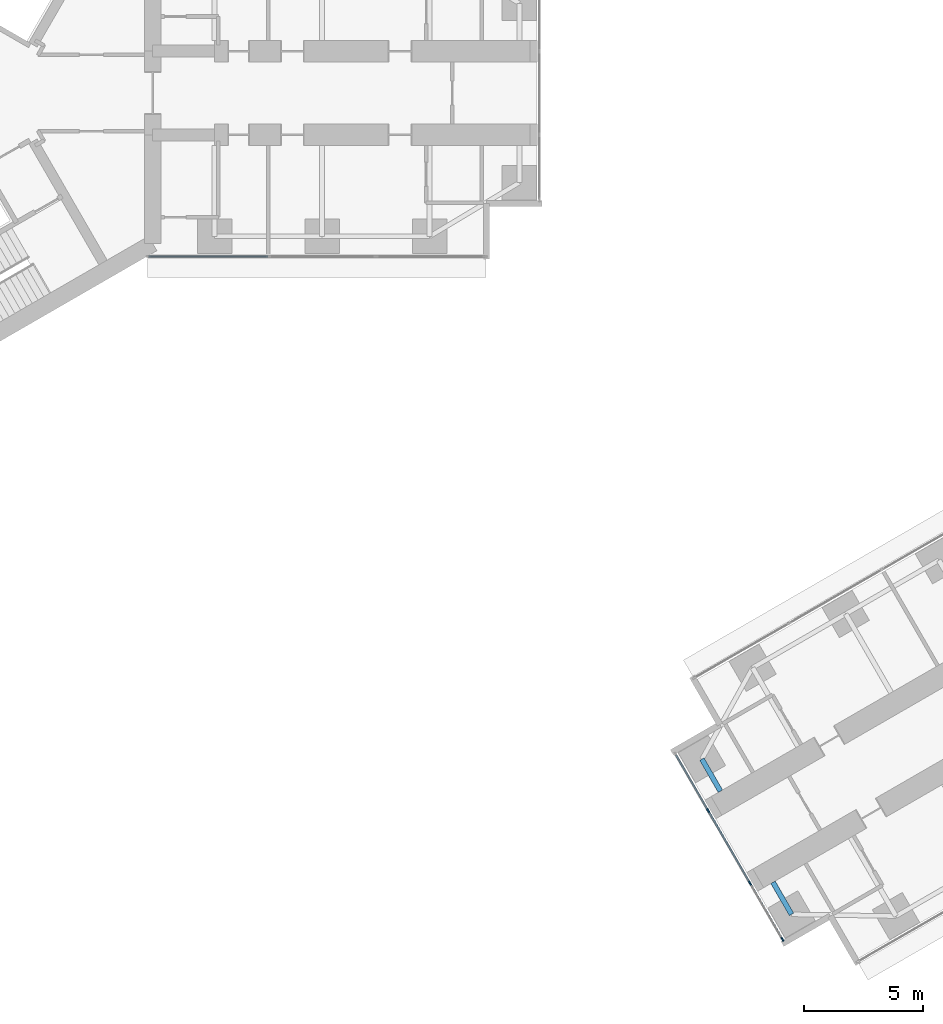
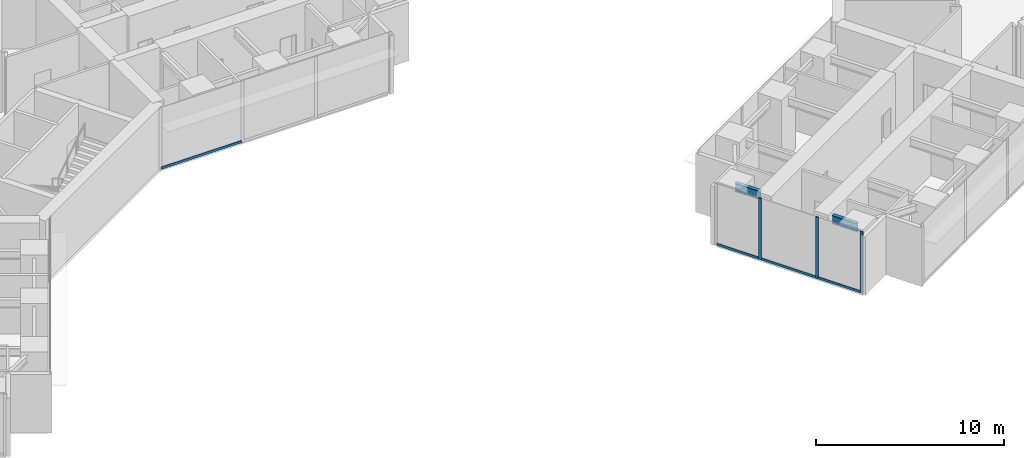
# One storey, part 3 of 24: 7 members, 2 beams, 2 elements without a shape of their own.
"""IFC4 building model written with IfcOpenShell, lengths in metres."""

from ifc_helpers import new_model, si_unit, direction, frame, origin, origin_2d, place, context, subcontext, project, spatial, rectangle, i_section, extrude, material, material_profile, profile_set, type_object, element, aggregate, save


model = new_model("IFC4")

# Units and contexts
model_context = context("Model", 3, precision=1e-05, world=origin(), true_north=direction((0.0, 1.0)))
body_context = subcontext(model_context, "Body", "Model", "MODEL_VIEW")
ifc_project = project(units=[si_unit("LENGTHUNIT", "METRE"), si_unit("AREAUNIT", "SQUARE_METRE"), si_unit("VOLUMEUNIT", "CUBIC_METRE"), si_unit("PLANEANGLEUNIT", "RADIAN"), si_unit("MASSUNIT", "GRAM", prefix="KILO")], contexts=[model_context])

# Site, building, storey
site_placement = place(None, origin())
site = spatial("IfcSite", under=ifc_project, at=site_placement, CompositionType="ELEMENT")
building_placement = place(site_placement, origin())
building = spatial("IfcBuilding", under=site, at=building_placement, Name="Upepo Twin Towers", CompositionType="ELEMENT")
storey_placement = place(building_placement, frame((0.0, 0.0, 48.5)))
storey = spatial("IfcBuildingStorey", under=building, at=storey_placement, Name="L11", CompositionType="ELEMENT", Elevation=48.5)

# Beams
ifc_material_1 = material(Name="Steel S355", Category="steel")
ifc_material_profile_1 = material_profile(ifc_material_1, i_section(OverallWidth=0.2119140625, OverallDepth=0.54443359375, WebThickness=0.0126953125, FlangeThickness=0.021240234375, FilletRadius=0.0126953125, at=origin_2d()), Name="UB 533x210x122")
ifc_profile_set_1 = profile_set([ifc_material_profile_1], Name="Steel S355")
beam_type = type_object("IfcBeamType", Name="Beam UB 533x210x122", PredefinedType="BEAM", material=ifc_profile_set_1)
for number, where, z_axis, x_axis, name in (
    (1, (37.641845703125, -34.37255859375, 3.52783203125), (-0.499967891604, 0.866043940782, 0.0), (-0.866043940782, -0.499967891604, 0.0), "T2 nose beam BL"),
    (2, (33.891845703125, -27.87744140625, 3.52783203125), (0.499967891604, -0.866043940782, 0.0), (0.866043940782, 0.499967891604, 0.0), "T2 nose beam BR"),
):
    element("IfcBeam", number, at=place(storey_placement, frame(where, z_axis=z_axis, x_axis=x_axis)), inside=storey, type_object=beam_type, Name=name, PredefinedType="BEAM", context=body_context, shape_type="SweptSolid", body=[
        extrude(i_section(OverallWidth=0.2119140625, OverallDepth=0.54443359375, WebThickness=0.0126953125, FlangeThickness=0.021240234375, FilletRadius=0.0126953125, at=origin_2d()), origin(), (0.0, 0.0, 1.0), 1.5498046875),
    ])

# Curtain wall, members
ifc_material_2 = material(Name="Aluminium and fritted glass", Category="aluminium")
curtain_wall_type = type_object("IfcCurtainWallType", Name="Tower curtain wall TW1, fritted glass", PredefinedType="NOTDEFINED", material=ifc_material_2)
curtain_wall_1_placement = place(storey_placement, origin())
curtain_wall_1 = element("IfcCurtainWall", 3, at=curtain_wall_1_placement, inside=storey, type_object=curtain_wall_type, Name="T2 L11 wing B nose curtain wall", PredefinedType="NOTDEFINED")
ifc_material_3 = material(Name="Aluminium mullion", Category="aluminium")
ifc_material_profile_2 = material_profile(ifc_material_3, rectangle(XDim=0.06494140625, YDim=0.179931640625, at=origin_2d()), Name="MULLION 65x180")
ifc_profile_set_2 = profile_set([ifc_material_profile_2], Name="Aluminium mullion")
member_type_1 = type_object("IfcMemberType", Name="Mullion 65x180 TW1", PredefinedType="MULLION", material=ifc_profile_set_2)
member_1_placement = place(storey_placement, frame((34.15576171875, -30.034423828125, 0.0), z_axis=(0.0, 0.0, 1.0), x_axis=(0.866025386174, 0.500000030502, 0.0)))
member_1 = element("IfcMember", 4, at=member_1_placement, type_object=member_type_1, Name="T2 L11 wing B nose curtain wall mullion 2", PredefinedType="MULLION", context=body_context, shape_type="SweptSolid", body=[
    extrude(rectangle(XDim=0.06494140625, YDim=0.179931640625, at=origin_2d()), origin(), (0.0, 0.0, 1.0), 4.0),
])
member_2_placement = place(storey_placement, frame((35.90576171875, -33.0654296875, 0.0), z_axis=(0.0, 0.0, 1.0), x_axis=(0.866025386174, 0.500000030502, 0.0)))
member_2 = element("IfcMember", 5, at=member_2_placement, type_object=member_type_1, Name="T2 L11 wing B nose curtain wall mullion 3", PredefinedType="MULLION", context=body_context, shape_type="SweptSolid", body=[
    extrude(rectangle(XDim=0.06494140625, YDim=0.179931640625, at=origin_2d()), origin(), (0.0, 0.0, 1.0), 4.0),
])
member_3_placement = place(storey_placement, frame((37.264404296875, -35.4189453125, 0.0), z_axis=(0.0, 0.0, 1.0), x_axis=(0.866025386174, 0.500000030502, 0.0)))
member_3 = element("IfcMember", 6, at=member_3_placement, type_object=member_type_1, Name="T2 L11 wing B nose curtain wall mullion 4", PredefinedType="MULLION", context=body_context, shape_type="SweptSolid", body=[
    extrude(rectangle(XDim=0.06494140625, YDim=0.179931640625, at=origin_2d()), origin(), (0.0, 0.0, 1.0), 4.0),
])

# Curtain wall, member
curtain_wall_2_placement = place(storey_placement, origin())
curtain_wall_2 = element("IfcCurtainWall", 7, at=curtain_wall_2_placement, inside=storey, type_object=curtain_wall_type, Name="T1 L11 wing A flank R curtain wall", PredefinedType="NOTDEFINED")
ifc_material_4 = material(Name="Aluminium transom", Category="aluminium")
ifc_material_profile_3 = material_profile(ifc_material_4, rectangle(XDim=0.06494140625, YDim=0.14990234375, at=origin_2d()), Name="TRANSOM 65x150")
ifc_profile_set_3 = profile_set([ifc_material_profile_3], Name="Aluminium transom")
member_type_2 = type_object("IfcMemberType", Name="Transom 65x150 TW1", PredefinedType="USERDEFINED", material=ifc_profile_set_3)
member_4_placement = place(storey_placement, frame((15.717529296875, -6.85009765625, 0.074951171875), z_axis=(-1.0, 0.0, 0.0), x_axis=(0.0, -1.0, 0.0)))
member_4 = element("IfcMember", 8, at=member_4_placement, type_object=member_type_2, Name="T1 L11 wing A flank R curtain wall transom 3", ObjectType="TRANSOM", PredefinedType="USERDEFINED", context=body_context, shape_type="SweptSolid", body=[
    extrude(rectangle(XDim=0.06494140625, YDim=0.14990234375, at=origin_2d()), origin(), (0.0, 0.0, 1.0), 4.96533203125),
])
aggregate(curtain_wall_2, [member_4])

# Member
member_5_placement = place(storey_placement, frame((32.813232421875, -27.709228515625, 0.074951171875), z_axis=(0.499980071345, -0.866036909293, 0.0), x_axis=(0.866036909293, 0.499980071345, 0.0)))
member_5 = element("IfcMember", 9, at=member_5_placement, type_object=member_type_2, Name="T2 L11 wing B nose curtain wall transom 1", ObjectType="TRANSOM", PredefinedType="USERDEFINED", context=body_context, shape_type="SweptSolid", body=[
    extrude(rectangle(XDim=0.06494140625, YDim=0.14990234375, at=origin_2d()), origin(), (0.0, 0.0, 1.0), 2.65234375),
])

member_6_placement = place(storey_placement, frame((34.171875, -30.0625, 0.074951171875), z_axis=(0.499999305434, -0.866025804792, 0.0), x_axis=(0.866025804792, 0.499999305434, 0.0)))
member_6 = element("IfcMember", 10, at=member_6_placement, type_object=member_type_2, Name="T2 L11 wing B nose curtain wall transom 2", ObjectType="TRANSOM", PredefinedType="USERDEFINED", context=body_context, shape_type="SweptSolid", body=[
    extrude(rectangle(XDim=0.06494140625, YDim=0.14990234375, at=origin_2d()), origin(), (0.0, 0.0, 1.0), 3.43505859375),
])

member_7_placement = place(storey_placement, frame((35.921875, -33.09375, 0.074951171875), z_axis=(0.500049101008, -0.865997053448, 0.0), x_axis=(0.865997053448, 0.500049101008, 0.0)))
member_7 = element("IfcMember", 11, at=member_7_placement, type_object=member_type_2, Name="T2 L11 wing B nose curtain wall transom 3", ObjectType="TRANSOM", PredefinedType="USERDEFINED", context=body_context, shape_type="SweptSolid", body=[
    extrude(rectangle(XDim=0.06494140625, YDim=0.14990234375, at=origin_2d()), origin(), (0.0, 0.0, 1.0), 2.652587890625),
])

aggregate(curtain_wall_1, [member_1, member_2, member_3, member_5, member_6, member_7])

save(model, "model.ifc")
